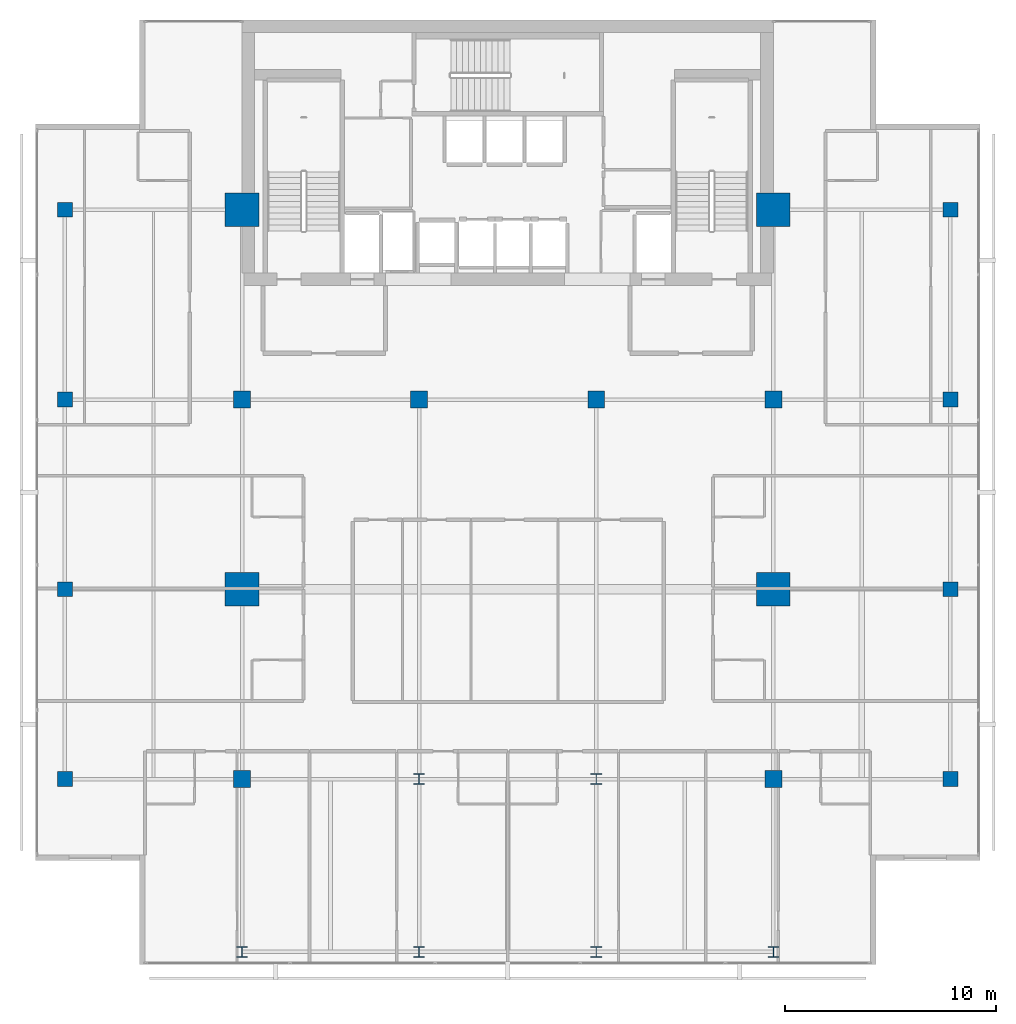
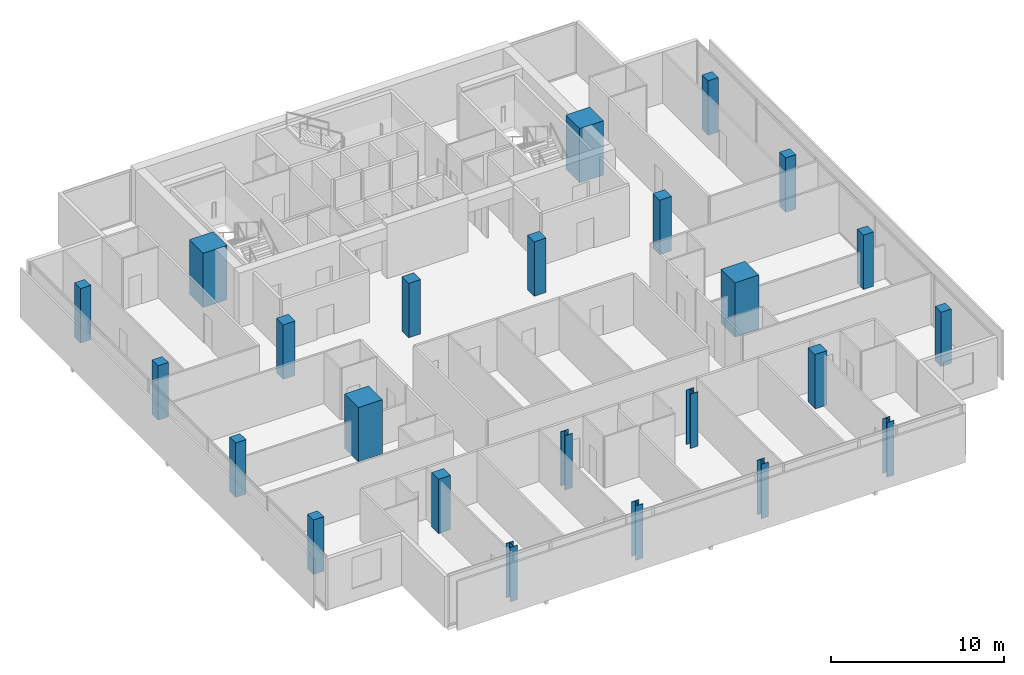
# One storey, part 1 of 25: 24 columns.
"""IFC4 building model written with IfcOpenShell, lengths in metres."""

from ifc_helpers import new_model, si_unit, direction, frame, origin, origin_2d, place, context, subcontext, project, spatial, rectangle, i_section, extrude, material, material_profile, profile_set, type_object, element, save


model = new_model("IFC4")

# Units and contexts
model_context = context("Model", 3, precision=1e-05, world=origin(), true_north=direction((0.0, 1.0)))
body_context = subcontext(model_context, "Body", "Model", "MODEL_VIEW")
ifc_project = project(units=[si_unit("LENGTHUNIT", "METRE"), si_unit("AREAUNIT", "SQUARE_METRE"), si_unit("VOLUMEUNIT", "CUBIC_METRE"), si_unit("PLANEANGLEUNIT", "RADIAN"), si_unit("MASSUNIT", "GRAM", prefix="KILO")], contexts=[model_context])

# Site, building, storey
site_placement = place(None, origin())
site = spatial("IfcSite", under=ifc_project, at=site_placement, CompositionType="ELEMENT")
building_placement = place(site_placement, origin())
building = spatial("IfcBuilding", under=site, at=building_placement, Name="Maruvema Waterfront Hotel and Observation Tower", CompositionType="ELEMENT")
storey_placement = place(building_placement, frame((0.0, 0.0, 308.699951171875)))
storey = spatial("IfcBuildingStorey", under=building, at=storey_placement, Name="L76", CompositionType="ELEMENT", Elevation=308.699951171875)

# Columns
ifc_material_1 = material(Name="Concrete C70/85", Category="concrete")
ifc_material_profile_1 = material_profile(ifc_material_1, rectangle(XDim=1.60009765625, YDim=1.60009765625, at=origin_2d()), Name="MC1600x1600")
ifc_profile_set_1 = profile_set([ifc_material_profile_1], Name="Concrete C70/85")
column_type_1 = type_object("IfcColumnType", Name="Continuous Mega-Column MC1600x1600", PredefinedType="COLUMN", material=ifc_profile_set_1)
for number, where, z_axis, x_axis, name in (
    (1, (25.199951171875, 27.0, 0.0), (0.0, 0.0, 1.0), (1.0, 0.0, 0.0), "L76 Continuous Mega-Column MC-01"),
    (2, (50.39990234375, 27.0, 0.0), (0.0, 0.0, 1.0), (1.0, 0.0, 0.0), "L76 Continuous Mega-Column MC-02"),
    (3, (25.199951171875, 45.0, 0.0), (0.0, 0.0, 1.0), (1.0, 0.0, 0.0), "L76 Continuous Mega-Column MC-03"),
    (4, (50.39990234375, 45.0, 0.0), (0.0, 0.0, 1.0), (1.0, 0.0, 0.0), "L76 Continuous Mega-Column MC-04"),
):
    element("IfcColumn", number, at=place(storey_placement, frame(where, z_axis=z_axis, x_axis=x_axis)), inside=storey, type_object=column_type_1, Name=name, PredefinedType="COLUMN", context=body_context, shape_type="SweptSolid", body=[
        extrude(rectangle(XDim=1.60009765625, YDim=1.60009765625, at=origin_2d()), origin(), (0.0, 0.0, 1.0), 3.85009765625),
    ])
ifc_material_2 = material(Name="Concrete C60/75", Category="concrete")
ifc_material_profile_2 = material_profile(ifc_material_2, rectangle(XDim=0.699951171875, YDim=0.699951171875, at=origin_2d()), Name="RC700x700")
ifc_profile_set_2 = profile_set([ifc_material_profile_2], Name="Concrete C60/75")
column_type_2 = type_object("IfcColumnType", Name="Reinforced Concrete Column RC700x700", PredefinedType="COLUMN", material=ifc_profile_set_2)
for number, where, z_axis, x_axis, name in (
    (5, (16.800048828125, 18.0, 0.0), (0.0, 0.0, 1.0), (1.0, 0.0, 0.0), "L76 Column C-3Y18"),
    (6, (58.800048828125, 18.0, 0.0), (0.0, 0.0, 1.0), (1.0, 0.0, 0.0), "L76 Column C-8Y18"),
    (7, (16.800048828125, 27.0, 0.0), (0.0, 0.0, 1.0), (1.0, 0.0, 0.0), "L76 Column C-3Y27"),
    (8, (58.800048828125, 27.0, 0.0), (0.0, 0.0, 1.0), (1.0, 0.0, 0.0), "L76 Column C-8Y27"),
    (9, (16.800048828125, 36.0, 0.0), (0.0, 0.0, 1.0), (1.0, 0.0, 0.0), "L76 Column C-3Y36"),
    (10, (58.800048828125, 36.0, 0.0), (0.0, 0.0, 1.0), (1.0, 0.0, 0.0), "L76 Column C-8Y36"),
    (11, (16.800048828125, 45.0, 0.0), (0.0, 0.0, 1.0), (1.0, 0.0, 0.0), "L76 Column C-3Y45"),
    (12, (58.800048828125, 45.0, 0.0), (0.0, 0.0, 1.0), (1.0, 0.0, 0.0), "L76 Column C-8Y45"),
):
    element("IfcColumn", number, at=place(storey_placement, frame(where, z_axis=z_axis, x_axis=x_axis)), inside=storey, type_object=column_type_2, Name=name, PredefinedType="COLUMN", context=body_context, shape_type="SweptSolid", body=[
        extrude(rectangle(XDim=0.699951171875, YDim=0.699951171875, at=origin_2d()), origin(), (0.0, 0.0, 1.0), 3.85009765625),
    ])
ifc_material_3 = material(Name="Concrete C60/75", Category="concrete")
ifc_material_profile_3 = material_profile(ifc_material_3, rectangle(XDim=0.800048828125, YDim=0.800048828125, at=origin_2d()), Name="RC800x800")
ifc_profile_set_3 = profile_set([ifc_material_profile_3], Name="Concrete C60/75")
column_type_3 = type_object("IfcColumnType", Name="Reinforced Concrete Column RC800x800", PredefinedType="COLUMN", material=ifc_profile_set_3)
for number, where, z_axis, x_axis, name in (
    (13, (25.199951171875, 36.0, 0.0), (0.0, 0.0, 1.0), (1.0, 0.0, 0.0), "L76 Column C-4E"),
    (14, (33.60009765625, 36.0, 0.0), (0.0, 0.0, 1.0), (1.0, 0.0, 0.0), "L76 Column C-5E"),
    (15, (42.0, 36.0, 0.0), (0.0, 0.0, 1.0), (1.0, 0.0, 0.0), "L76 Column C-6E"),
    (16, (50.39990234375, 36.0, 0.0), (0.0, 0.0, 1.0), (1.0, 0.0, 0.0), "L76 Column C-7E"),
    (17, (25.199951171875, 18.0, 0.0), (0.0, 0.0, 1.0), (1.0, 0.0, 0.0), "L76 Column C-4C"),
    (18, (50.39990234375, 18.0, 0.0), (0.0, 0.0, 1.0), (1.0, 0.0, 0.0), "L76 Column C-7C"),
):
    element("IfcColumn", number, at=place(storey_placement, frame(where, z_axis=z_axis, x_axis=x_axis)), inside=storey, type_object=column_type_3, Name=name, PredefinedType="COLUMN", context=body_context, shape_type="SweptSolid", body=[
        extrude(rectangle(XDim=0.800048828125, YDim=0.800048828125, at=origin_2d()), origin(), (0.0, 0.0, 1.0), 3.85009765625),
    ])
ifc_material_4 = material(Name="Steel ABNT NBR 7007 AR 415 (ASTM A572 Grade 50)", Category="steel")
ifc_material_profile_4 = material_profile(ifc_material_4, i_section(OverallWidth=0.5, OverallDepth=0.5, WebThickness=0.02197265625, FlangeThickness=0.031982421875, at=origin_2d()), Name="CVS500x223")
ifc_profile_set_4 = profile_set([ifc_material_profile_4], Name="Steel ABNT NBR 7007 AR 415 (ASTM A572 Grade 50)")
column_type_4 = type_object("IfcColumnType", Name="Structural Steel Column CVS500x223", PredefinedType="COLUMN", material=ifc_profile_set_4)
for number, where, z_axis, x_axis, name in (
    (19, (33.60009765625, 18.0, 0.0), (0.0, 0.0, 1.0), (1.0, 0.0, 0.0), "L76 Column C-5C"),
    (20, (42.0, 18.0, 0.0), (0.0, 0.0, 1.0), (1.0, 0.0, 0.0), "L76 Column C-6C"),
    (21, (25.199951171875, 9.800048828125, 0.0), (0.0, 0.0, 1.0), (1.0, 0.0, 0.0), "L76 Column C-Z3S4"),
    (22, (33.60009765625, 9.800048828125, 0.0), (0.0, 0.0, 1.0), (1.0, 0.0, 0.0), "L76 Column C-Z3S5"),
    (23, (42.0, 9.800048828125, 0.0), (0.0, 0.0, 1.0), (1.0, 0.0, 0.0), "L76 Column C-Z3S6"),
    (24, (50.39990234375, 9.800048828125, 0.0), (0.0, 0.0, 1.0), (1.0, 0.0, 0.0), "L76 Column C-Z3S7"),
):
    element("IfcColumn", number, at=place(storey_placement, frame(where, z_axis=z_axis, x_axis=x_axis)), inside=storey, type_object=column_type_4, Name=name, PredefinedType="COLUMN", context=body_context, shape_type="SweptSolid", body=[
        extrude(i_section(OverallWidth=0.5, OverallDepth=0.5, WebThickness=0.02197265625, FlangeThickness=0.031982421875, at=origin_2d()), origin(), (0.0, 0.0, 1.0), 3.85009765625),
    ])

save(model, "model.ifc")
